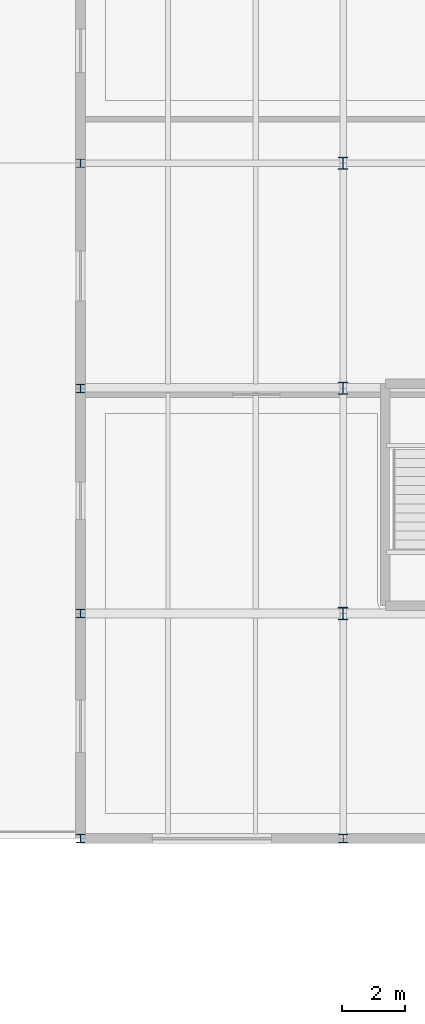
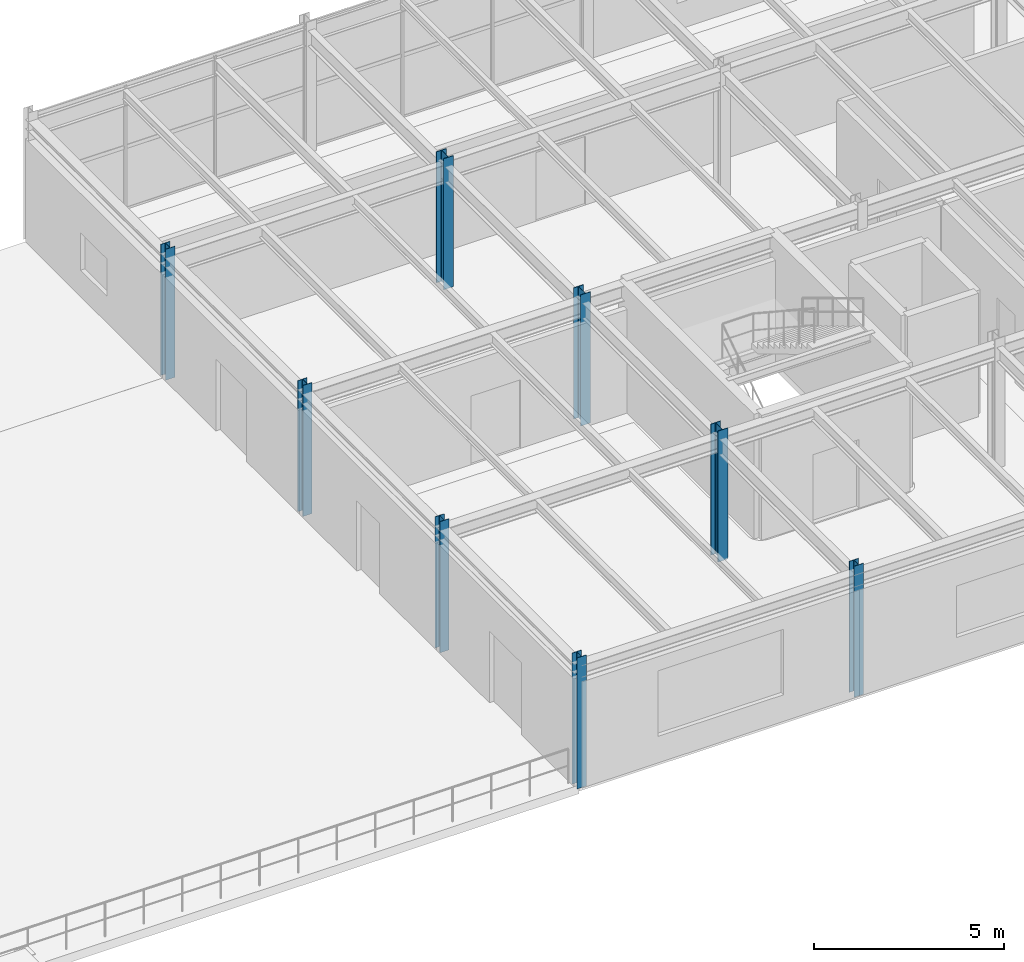
# One storey, part 3 of 73: 8 columns.
"""IFC4 building model written with IfcOpenShell, lengths in metres."""

from ifc_helpers import new_model, si_unit, derived_unit, direction, frame, origin, origin_2d, place, context, subcontext, project, spatial, i_section, extrude, material, material_profile, profile_set, type_object, element, save


model = new_model("IFC4")

# Units and contexts
model_context = context("Model", 3, precision=1e-05, world=origin(), true_north=direction((0.0, 1.0)))
body_context = subcontext(model_context, "Body", "Model", "MODEL_VIEW")
ifc_project = project(units=[si_unit("LENGTHUNIT", "METRE"), si_unit("AREAUNIT", "SQUARE_METRE"), si_unit("VOLUMEUNIT", "CUBIC_METRE"), si_unit("PLANEANGLEUNIT", "RADIAN"), si_unit("MASSUNIT", "GRAM", prefix="KILO"), derived_unit("THERMALTRANSMITTANCEUNIT", [(si_unit("MASSUNIT", "GRAM", prefix="KILO"), 1), (si_unit("TIMEUNIT", "SECOND"), -3), (si_unit("THERMODYNAMICTEMPERATUREUNIT", "KELVIN"), -1)])], contexts=[model_context])

# Site, building, storey
site_placement = place(None, origin())
site = spatial("IfcSite", under=ifc_project, at=site_placement, CompositionType="ELEMENT")
building_placement = place(site_placement, origin())
building = spatial("IfcBuilding", under=site, at=building_placement, Name="Kharveza Railside Sports Centre", CompositionType="ELEMENT")
storey_placement = place(building_placement, frame((0.0, 0.0, 8.699951171875)))
storey = spatial("IfcBuildingStorey", under=building, at=storey_placement, Name="L02", CompositionType="ELEMENT", Elevation=8.699951171875)

# Columns
ifc_material = material(Name="Steel S355J2", Category="steel")
ifc_material_profile_1 = material_profile(ifc_material, i_section(OverallWidth=0.300048828125, OverallDepth=0.389892578125, WebThickness=0.010986328125, FlangeThickness=0.01904296875, FilletRadius=0.027099609375, at=origin_2d()), Name="HEA 400")
ifc_profile_set_1 = profile_set([ifc_material_profile_1], Name="Steel S355J2")
column_type_1 = type_object("IfcColumnType", Name="COL-S10", PredefinedType="COLUMN", material=ifc_profile_set_1)
for number, where, z_axis, x_axis, name in (
    (1, (126.0, 14.39990234375, 0.0), (0.0, 0.0, 1.0), (1.0, 0.0, 0.0), "COL-G-C10-X1260-Y144-L02"),
    (2, (126.0, 21.60009765625, 0.0), (0.0, 0.0, 1.0), (1.0, 0.0, 0.0), "COL-G-C10-X1260-Y216-L02"),
    (3, (126.0, 28.800048828125, 0.0), (0.0, 0.0, 1.0), (1.0, 0.0, 0.0), "COL-G-C10-X1260-Y288-L02"),
):
    element("IfcColumn", number, at=place(storey_placement, frame(where, z_axis=z_axis, x_axis=x_axis)), inside=storey, type_object=column_type_1, Name=name, PredefinedType="COLUMN", context=body_context, shape_type="SweptSolid", body=[
        extrude(i_section(OverallWidth=0.300048828125, OverallDepth=0.389892578125, WebThickness=0.010986328125, FlangeThickness=0.01904296875, FilletRadius=0.027099609375, at=origin_2d()), origin(), (0.0, 0.0, 1.0), 4.199951171875),
    ])
ifc_material_profile_2 = material_profile(ifc_material, i_section(OverallWidth=0.280029296875, OverallDepth=0.27001953125, WebThickness=0.008056640625, FlangeThickness=0.012939453125, FilletRadius=0.02392578125, at=origin_2d()), Name="HEA 280")
ifc_profile_set_2 = profile_set([ifc_material_profile_2], Name="Steel S355J2")
column_type_2 = type_object("IfcColumnType", Name="COL-S13", PredefinedType="COLUMN", material=ifc_profile_set_2)
for number, where, z_axis, x_axis, name in (
    (4, (117.60009765625, 7.199951171875, 0.0), (0.0, 0.0, 1.0), (1.0, 0.0, 0.0), "COL-G-C13-X1176-Y72-L02"),
    (5, (117.60009765625, 14.39990234375, 0.0), (0.0, 0.0, 1.0), (1.0, 0.0, 0.0), "COL-G-C13-X1176-Y144-L02"),
    (6, (117.60009765625, 21.60009765625, 0.0), (0.0, 0.0, 1.0), (1.0, 0.0, 0.0), "COL-G-C13-X1176-Y216-L02"),
    (7, (117.60009765625, 28.800048828125, 0.0), (0.0, 0.0, 1.0), (1.0, 0.0, 0.0), "COL-G-C13-X1176-Y288-L02"),
    (8, (126.0, 7.199951171875, 0.0), (0.0, 0.0, 1.0), (1.0, 0.0, 0.0), "COL-G-C13-X1260-Y72-L02"),
):
    element("IfcColumn", number, at=place(storey_placement, frame(where, z_axis=z_axis, x_axis=x_axis)), inside=storey, type_object=column_type_2, Name=name, PredefinedType="COLUMN", context=body_context, shape_type="SweptSolid", body=[
        extrude(i_section(OverallWidth=0.280029296875, OverallDepth=0.27001953125, WebThickness=0.008056640625, FlangeThickness=0.012939453125, FilletRadius=0.02392578125, at=origin_2d()), origin(), (0.0, 0.0, 1.0), 4.199951171875),
    ])

save(model, "model.ifc")
